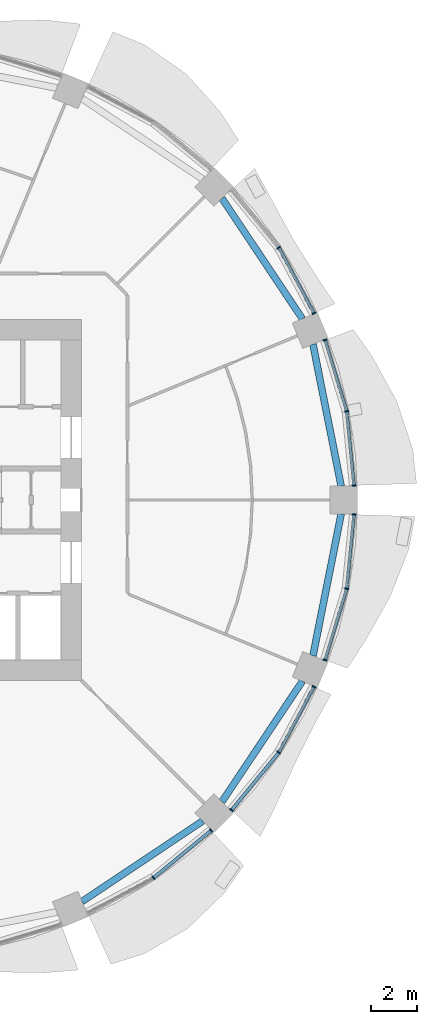
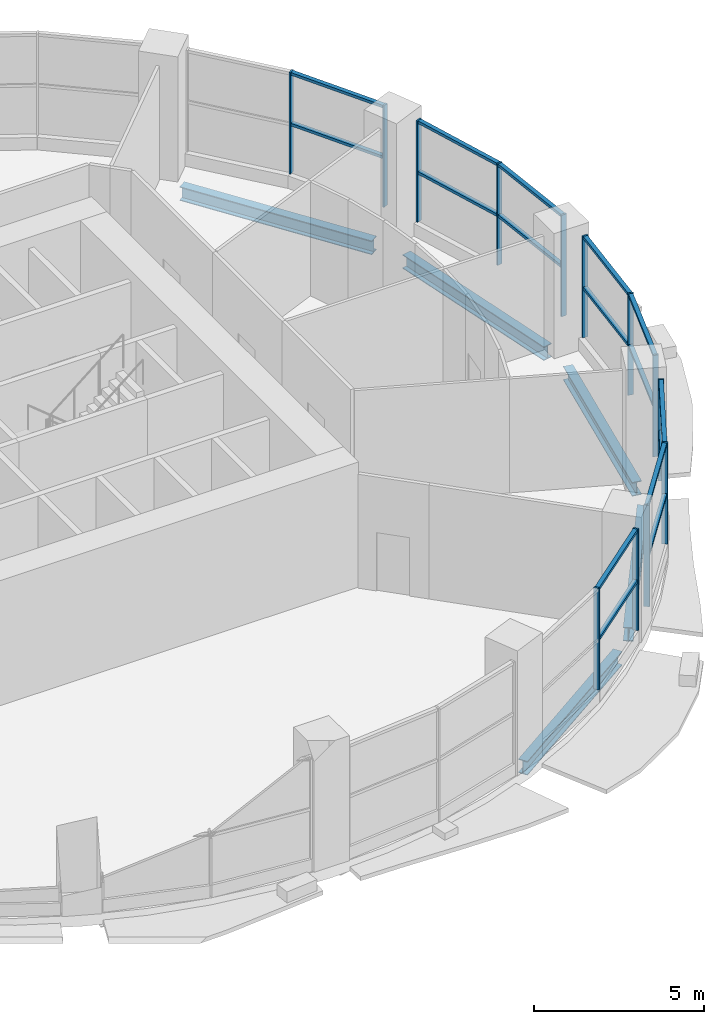
# One storey, part 4 of 14: 29 members, 5 beams, 5 elements without a shape of their own.
"""IFC4 building model written with IfcOpenShell, lengths in metres."""

from ifc_helpers import new_model, si_unit, direction, frame, origin, origin_2d, place, context, subcontext, project, spatial, rectangle, i_section, extrude, material, material_profile, profile_set, type_object, element, aggregate, save


model = new_model("IFC4")

# Units and contexts
model_context = context("Model", 3, precision=1e-05, world=origin(), true_north=direction((0.0, 1.0)))
body_context = subcontext(model_context, "Body", "Model", "MODEL_VIEW")
ifc_project = project(units=[si_unit("LENGTHUNIT", "METRE"), si_unit("AREAUNIT", "SQUARE_METRE"), si_unit("VOLUMEUNIT", "CUBIC_METRE"), si_unit("PLANEANGLEUNIT", "RADIAN"), si_unit("MASSUNIT", "GRAM", prefix="KILO")], contexts=[model_context])

# Site, building, storey
site_placement = place(None, origin())
site = spatial("IfcSite", under=ifc_project, at=site_placement, CompositionType="ELEMENT")
building_placement = place(site_placement, origin())
building = spatial("IfcBuilding", under=site, at=building_placement, Name="Polderwave Tower", CompositionType="ELEMENT")
storey_placement = place(building_placement, frame((0.0, 0.0, 9.89990234375)))
storey = spatial("IfcBuildingStorey", under=building, at=storey_placement, Name="L02", CompositionType="ELEMENT", Elevation=9.89990234375)

# Beams
ifc_material_1 = material(Name="Steel S355", Category="steel")
ifc_material_profile_1 = material_profile(ifc_material_1, i_section(OverallWidth=0.300048828125, OverallDepth=0.5, WebThickness=0.014404296875, FlangeThickness=0.028076171875, at=origin_2d()), Name="HE 500 B")
ifc_profile_set_1 = profile_set([ifc_material_profile_1], Name="Steel S355")
beam_type = type_object("IfcBeamType", Name="RING BEAM HE 500 B", PredefinedType="BEAM", material=ifc_profile_set_1)
for number, where, z_axis, x_axis, name in (
    (1, (19.20068359375, 0.60009765625, -0.64990234375), (-0.195089989691, 0.980785346507, 0.0), (-0.980785346507, -0.195089989691, 0.0), "ST-RB-L02-00"),
    (2, (17.509521484375, 7.902099609375, -0.64990234375), (-0.555574248011, 0.831466929557, 0.0), (-0.831466929557, -0.555574248011, 0.0), "ST-RB-L02-01"),
    (3, (7.902099609375, -17.509521484375, -0.64990234375), (0.831466929557, 0.555574248011, 0.0), (-0.555574248011, 0.831466929557, 0.0), "ST-RB-L02-13"),
    (4, (14.001220703125, -13.152587890625, -0.64990234375), (0.555574248011, 0.831466929557, 0.0), (-0.831466929557, 0.555574248011, 0.0), "ST-RB-L02-14"),
    (5, (17.96875, -6.79345703125, -0.64990234375), (0.195089989691, 0.980785346507, 0.0), (-0.980785346507, 0.195089989691, 0.0), "ST-RB-L02-15"),
):
    element("IfcBeam", number, at=place(storey_placement, frame(where, z_axis=z_axis, x_axis=x_axis)), inside=storey, type_object=beam_type, Name=name, PredefinedType="BEAM", context=body_context, shape_type="SweptSolid", body=[
        extrude(i_section(OverallWidth=0.300048828125, OverallDepth=0.5, WebThickness=0.014404296875, FlangeThickness=0.028076171875, at=origin_2d()), origin(), (0.0, 0.0, 1.0), 6.314697265625),
    ])

# Curtain wall, members
ifc_material_2 = material(Name="Aluminium 6063-T6 and glass", Category="aluminium")
curtain_wall_type = type_object("IfcCurtainWallType", Name="Shopfront glazing wall", PredefinedType="NOTDEFINED", material=ifc_material_2)
curtain_wall_1_placement = place(storey_placement, origin())
curtain_wall_1 = element("IfcCurtainWall", 6, at=curtain_wall_1_placement, inside=storey, type_object=curtain_wall_type, Name="CW1 L02 00", PredefinedType="NOTDEFINED")
ifc_material_3 = material(Name="Aluminium 6063-T6", Category="aluminium")
ifc_material_profile_2 = material_profile(ifc_material_3, rectangle(XDim=0.179931640625, YDim=0.06005859375, at=origin_2d()), Name="AL 60x180")
ifc_profile_set_2 = profile_set([ifc_material_profile_2], Name="Aluminium 6063-T6")
member_type_1 = type_object("IfcMemberType", Name="Shopfront glazing mullion 60x180", PredefinedType="MULLION", material=ifc_profile_set_2)
member_1_placement = place(storey_placement, frame((19.758056640625, 0.6298828125, 0.4501953125), z_axis=(0.0, 0.0, 1.0), x_axis=(-0.99517788136, -0.098086617091, 0.0)))
member_1 = element("IfcMember", 7, at=member_1_placement, type_object=member_type_1, Name="CW1 mullion 1", PredefinedType="MULLION", context=body_context, shape_type="SweptSolid", body=[
    extrude(rectangle(XDim=0.179931640625, YDim=0.06005859375, at=origin_2d()), origin(), (0.0, 0.0, 1.0), 3.64990234375),
])
member_2_placement = place(storey_placement, frame((19.43896484375, 3.866943359375, 0.4501953125), z_axis=(0.0, 0.0, 1.0), x_axis=(-0.980773020581, -0.195151946188, 0.0)))
member_2 = element("IfcMember", 8, at=member_2_placement, type_object=member_type_1, Name="CW1 mullion 2", PredefinedType="MULLION", context=body_context, shape_type="SweptSolid", body=[
    extrude(rectangle(XDim=0.179931640625, YDim=0.06005859375, at=origin_2d()), origin(), (0.0, 0.0, 1.0), 3.64990234375),
])
member_3_placement = place(storey_placement, frame((18.49462890625, 6.979248046875, 0.4501953125), z_axis=(0.0, 0.0, 1.0), x_axis=(-0.956924628419, -0.290336452284, 0.0)))
member_3 = element("IfcMember", 9, at=member_3_placement, type_object=member_type_1, Name="CW1 mullion 3", PredefinedType="MULLION", context=body_context, shape_type="SweptSolid", body=[
    extrude(rectangle(XDim=0.179931640625, YDim=0.06005859375, at=origin_2d()), origin(), (0.0, 0.0, 1.0), 3.64990234375),
])

curtain_wall_2_placement = place(storey_placement, origin())
curtain_wall_2 = element("IfcCurtainWall", 10, at=curtain_wall_2_placement, inside=storey, type_object=curtain_wall_type, Name="CW1 L02 01", PredefinedType="NOTDEFINED")
member_4_placement = place(storey_placement, frame((18.012939453125, 8.142578125, 0.4501953125), z_axis=(0.0, 0.0, 1.0), x_axis=(-0.881973091795, -0.471299761669, 0.0)))
member_4 = element("IfcMember", 11, at=member_4_placement, type_object=member_type_1, Name="CW1 mullion 1", PredefinedType="MULLION", context=body_context, shape_type="SweptSolid", body=[
    extrude(rectangle(XDim=0.179931640625, YDim=0.06005859375, at=origin_2d()), origin(), (0.0, 0.0, 1.0), 3.64990234375),
])
member_5_placement = place(storey_placement, frame((16.47998046875, 11.010986328125, 0.4501953125), z_axis=(0.0, 0.0, 1.0), x_axis=(-0.831492883245, -0.555535404015, 0.0)))
member_5 = element("IfcMember", 12, at=member_5_placement, type_object=member_type_1, Name="CW1 mullion 2", PredefinedType="MULLION", context=body_context, shape_type="SweptSolid", body=[
    extrude(rectangle(XDim=0.179931640625, YDim=0.06005859375, at=origin_2d()), origin(), (0.0, 0.0, 1.0), 3.64990234375),
])

curtain_wall_3_placement = place(storey_placement, origin())
curtain_wall_3 = element("IfcCurtainWall", 13, at=curtain_wall_3_placement, inside=storey, type_object=curtain_wall_type, Name="CW1 L02 13", PredefinedType="NOTDEFINED")
member_6_placement = place(storey_placement, frame((11.010986328125, -16.47998046875, 0.4501953125), z_axis=(0.0, 0.0, 1.0), x_axis=(-0.555535404015, 0.831492883245, 0.0)))
member_6 = element("IfcMember", 14, at=member_6_placement, type_object=member_type_1, Name="CW1 mullion 2", PredefinedType="MULLION", context=body_context, shape_type="SweptSolid", body=[
    extrude(rectangle(XDim=0.179931640625, YDim=0.06005859375, at=origin_2d()), origin(), (0.0, 0.0, 1.0), 3.64990234375),
])
member_7_placement = place(storey_placement, frame((13.52587890625, -14.416015625, 0.4501953125), z_axis=(0.0, 0.0, 1.0), x_axis=(-0.63441487044, 0.772992737459, 0.0)))
member_7 = element("IfcMember", 15, at=member_7_placement, type_object=member_type_1, Name="CW1 mullion 3", PredefinedType="MULLION", context=body_context, shape_type="SweptSolid", body=[
    extrude(rectangle(XDim=0.179931640625, YDim=0.06005859375, at=origin_2d()), origin(), (0.0, 0.0, 1.0), 3.64990234375),
])

curtain_wall_4_placement = place(storey_placement, origin())
curtain_wall_4 = element("IfcCurtainWall", 16, at=curtain_wall_4_placement, inside=storey, type_object=curtain_wall_type, Name="CW1 L02 14", PredefinedType="NOTDEFINED")
member_8_placement = place(storey_placement, frame((14.416015625, -13.52587890625, 0.4501953125), z_axis=(0.0, 0.0, 1.0), x_axis=(-0.772992737459, 0.63441487044, 0.0)))
member_8 = element("IfcMember", 17, at=member_8_placement, type_object=member_type_1, Name="CW1 mullion 1", PredefinedType="MULLION", context=body_context, shape_type="SweptSolid", body=[
    extrude(rectangle(XDim=0.179931640625, YDim=0.06005859375, at=origin_2d()), origin(), (0.0, 0.0, 1.0), 3.64990234375),
])
member_9_placement = place(storey_placement, frame((16.47998046875, -11.010986328125, 0.4501953125), z_axis=(0.0, 0.0, 1.0), x_axis=(-0.831492883245, 0.555535404015, 0.0)))
member_9 = element("IfcMember", 18, at=member_9_placement, type_object=member_type_1, Name="CW1 mullion 2", PredefinedType="MULLION", context=body_context, shape_type="SweptSolid", body=[
    extrude(rectangle(XDim=0.179931640625, YDim=0.06005859375, at=origin_2d()), origin(), (0.0, 0.0, 1.0), 3.64990234375),
])
member_10_placement = place(storey_placement, frame((18.012939453125, -8.142578125, 0.4501953125), z_axis=(0.0, 0.0, 1.0), x_axis=(-0.881973091795, 0.471299761669, 0.0)))
member_10 = element("IfcMember", 19, at=member_10_placement, type_object=member_type_1, Name="CW1 mullion 3", PredefinedType="MULLION", context=body_context, shape_type="SweptSolid", body=[
    extrude(rectangle(XDim=0.179931640625, YDim=0.06005859375, at=origin_2d()), origin(), (0.0, 0.0, 1.0), 3.64990234375),
])

curtain_wall_5_placement = place(storey_placement, origin())
curtain_wall_5 = element("IfcCurtainWall", 20, at=curtain_wall_5_placement, inside=storey, type_object=curtain_wall_type, Name="CW1 L02 15", PredefinedType="NOTDEFINED")
member_11_placement = place(storey_placement, frame((18.49462890625, -6.979248046875, 0.4501953125), z_axis=(0.0, 0.0, 1.0), x_axis=(-0.956924628419, 0.290336452284, 0.0)))
member_11 = element("IfcMember", 21, at=member_11_placement, type_object=member_type_1, Name="CW1 mullion 1", PredefinedType="MULLION", context=body_context, shape_type="SweptSolid", body=[
    extrude(rectangle(XDim=0.179931640625, YDim=0.06005859375, at=origin_2d()), origin(), (0.0, 0.0, 1.0), 3.64990234375),
])
member_12_placement = place(storey_placement, frame((19.43896484375, -3.866943359375, 0.4501953125), z_axis=(0.0, 0.0, 1.0), x_axis=(-0.980773020581, 0.195151946188, 0.0)))
member_12 = element("IfcMember", 22, at=member_12_placement, type_object=member_type_1, Name="CW1 mullion 2", PredefinedType="MULLION", context=body_context, shape_type="SweptSolid", body=[
    extrude(rectangle(XDim=0.179931640625, YDim=0.06005859375, at=origin_2d()), origin(), (0.0, 0.0, 1.0), 3.64990234375),
])
member_13_placement = place(storey_placement, frame((19.758056640625, -0.6298828125, 0.4501953125), z_axis=(0.0, 0.0, 1.0), x_axis=(-0.99517788136, 0.098086617091, 0.0)))
member_13 = element("IfcMember", 23, at=member_13_placement, type_object=member_type_1, Name="CW1 mullion 3", PredefinedType="MULLION", context=body_context, shape_type="SweptSolid", body=[
    extrude(rectangle(XDim=0.179931640625, YDim=0.06005859375, at=origin_2d()), origin(), (0.0, 0.0, 1.0), 3.64990234375),
])

# Member
ifc_material_profile_3 = material_profile(ifc_material_3, rectangle(XDim=0.139892578125, YDim=0.10009765625, at=origin_2d()), Name="AL 100x140")
ifc_profile_set_3 = profile_set([ifc_material_profile_3], Name="Aluminium 6063-T6")
member_type_2 = type_object("IfcMemberType", Name="Shopfront glazing transom 100x140", PredefinedType="USERDEFINED", material=ifc_profile_set_3)
member_14_placement = place(storey_placement, frame((19.755126953125, 0.65966796875, 2.22509765625), z_axis=(-0.098103046031, 0.995176261955, 0.0), x_axis=(-0.995176261955, -0.098103046031, 0.0)))
member_14 = element("IfcMember", 24, at=member_14_placement, type_object=member_type_2, Name="CW1 transom 1", ObjectType="TRANSOM", PredefinedType="USERDEFINED", context=body_context, shape_type="SweptSolid", body=[
    extrude(rectangle(XDim=0.139892578125, YDim=0.10009765625, at=origin_2d()), origin(), (0.0, 0.0, 1.0), 3.19287109375),
])

member_15_placement = place(storey_placement, frame((19.755126953125, 0.65966796875, 4.050048828125), z_axis=(-0.098103046031, 0.995176261955, 0.0), x_axis=(-0.995176261955, -0.098103046031, 0.0)))
member_15 = element("IfcMember", 25, at=member_15_placement, type_object=member_type_2, Name="CW1 transom 2", ObjectType="TRANSOM", PredefinedType="USERDEFINED", context=body_context, shape_type="SweptSolid", body=[
    extrude(rectangle(XDim=0.139892578125, YDim=0.10009765625, at=origin_2d()), origin(), (0.0, 0.0, 1.0), 3.19287109375),
])

member_16_placement = place(storey_placement, frame((19.430419921875, 3.895751953125, 2.22509765625), z_axis=(-0.290370318593, 0.956914352531, 0.0), x_axis=(-0.956914352531, -0.290370318593, 0.0)))
member_16 = element("IfcMember", 26, at=member_16_placement, type_object=member_type_2, Name="CW1 transom 3", ObjectType="TRANSOM", PredefinedType="USERDEFINED", context=body_context, shape_type="SweptSolid", body=[
    extrude(rectangle(XDim=0.139892578125, YDim=0.10009765625, at=origin_2d()), origin(), (0.0, 0.0, 1.0), 3.1923828125),
])

member_17_placement = place(storey_placement, frame((19.430419921875, 3.895751953125, 4.050048828125), z_axis=(-0.290370318593, 0.956914352531, 0.0), x_axis=(-0.956914352531, -0.290370318593, 0.0)))
member_17 = element("IfcMember", 27, at=member_17_placement, type_object=member_type_2, Name="CW1 transom 4", ObjectType="TRANSOM", PredefinedType="USERDEFINED", context=body_context, shape_type="SweptSolid", body=[
    extrude(rectangle(XDim=0.139892578125, YDim=0.10009765625, at=origin_2d()), origin(), (0.0, 0.0, 1.0), 3.1923828125),
])

aggregate(curtain_wall_1, [member_1, member_2, member_3, member_14, member_15, member_16, member_17])

member_18_placement = place(storey_placement, frame((17.998779296875, 8.1689453125, 2.22509765625), z_axis=(-0.471306507321, 0.88196948709, 0.0), x_axis=(-0.88196948709, -0.471306507321, 0.0)))
member_18 = element("IfcMember", 28, at=member_18_placement, type_object=member_type_2, Name="CW1 transom 1", ObjectType="TRANSOM", PredefinedType="USERDEFINED", context=body_context, shape_type="SweptSolid", body=[
    extrude(rectangle(XDim=0.139892578125, YDim=0.10009765625, at=origin_2d()), origin(), (0.0, 0.0, 1.0), 3.1923828125),
])

member_19_placement = place(storey_placement, frame((17.998779296875, 8.1689453125, 4.050048828125), z_axis=(-0.471306507321, 0.88196948709, 0.0), x_axis=(-0.88196948709, -0.471306507321, 0.0)))
member_19 = element("IfcMember", 29, at=member_19_placement, type_object=member_type_2, Name="CW1 transom 2", ObjectType="TRANSOM", PredefinedType="USERDEFINED", context=body_context, shape_type="SweptSolid", body=[
    extrude(rectangle(XDim=0.139892578125, YDim=0.10009765625, at=origin_2d()), origin(), (0.0, 0.0, 1.0), 3.1923828125),
])

aggregate(curtain_wall_2, [member_4, member_5, member_18, member_19])

member_20_placement = place(storey_placement, frame((11.0341796875, -16.4609375, 2.22509765625), z_axis=(0.773006076365, 0.634398617513, 0.0), x_axis=(-0.634398617513, 0.773006076365, 0.0)))
member_20 = element("IfcMember", 30, at=member_20_placement, type_object=member_type_2, Name="CW1 transom 3", ObjectType="TRANSOM", PredefinedType="USERDEFINED", context=body_context, shape_type="SweptSolid", body=[
    extrude(rectangle(XDim=0.139892578125, YDim=0.10009765625, at=origin_2d()), origin(), (0.0, 0.0, 1.0), 3.193359375),
])

member_21_placement = place(storey_placement, frame((11.0341796875, -16.4609375, 4.050048828125), z_axis=(0.773006076365, 0.634398617513, 0.0), x_axis=(-0.634398617513, 0.773006076365, 0.0)))
member_21 = element("IfcMember", 31, at=member_21_placement, type_object=member_type_2, Name="CW1 transom 4", ObjectType="TRANSOM", PredefinedType="USERDEFINED", context=body_context, shape_type="SweptSolid", body=[
    extrude(rectangle(XDim=0.139892578125, YDim=0.10009765625, at=origin_2d()), origin(), (0.0, 0.0, 1.0), 3.193359375),
])

aggregate(curtain_wall_3, [member_6, member_7, member_20, member_21])

member_22_placement = place(storey_placement, frame((14.43505859375, -13.502685546875, 2.22509765625), z_axis=(0.634398617513, 0.773006076365, 0.0), x_axis=(-0.773006076365, 0.634398617513, 0.0)))
member_22 = element("IfcMember", 32, at=member_22_placement, type_object=member_type_2, Name="CW1 transom 1", ObjectType="TRANSOM", PredefinedType="USERDEFINED", context=body_context, shape_type="SweptSolid", body=[
    extrude(rectangle(XDim=0.139892578125, YDim=0.10009765625, at=origin_2d()), origin(), (0.0, 0.0, 1.0), 3.193359375),
])

member_23_placement = place(storey_placement, frame((14.43505859375, -13.502685546875, 4.050048828125), z_axis=(0.634398617513, 0.773006076365, 0.0), x_axis=(-0.773006076365, 0.634398617513, 0.0)))
member_23 = element("IfcMember", 33, at=member_23_placement, type_object=member_type_2, Name="CW1 transom 2", ObjectType="TRANSOM", PredefinedType="USERDEFINED", context=body_context, shape_type="SweptSolid", body=[
    extrude(rectangle(XDim=0.139892578125, YDim=0.10009765625, at=origin_2d()), origin(), (0.0, 0.0, 1.0), 3.193359375),
])

member_24_placement = place(storey_placement, frame((16.494140625, -10.984619140625, 2.22509765625), z_axis=(0.471306507321, 0.88196948709, 0.0), x_axis=(-0.88196948709, 0.471306507321, 0.0)))
member_24 = element("IfcMember", 34, at=member_24_placement, type_object=member_type_2, Name="CW1 transom 3", ObjectType="TRANSOM", PredefinedType="USERDEFINED", context=body_context, shape_type="SweptSolid", body=[
    extrude(rectangle(XDim=0.139892578125, YDim=0.10009765625, at=origin_2d()), origin(), (0.0, 0.0, 1.0), 3.1923828125),
])

member_25_placement = place(storey_placement, frame((16.494140625, -10.984619140625, 4.050048828125), z_axis=(0.471306507321, 0.88196948709, 0.0), x_axis=(-0.88196948709, 0.471306507321, 0.0)))
member_25 = element("IfcMember", 35, at=member_25_placement, type_object=member_type_2, Name="CW1 transom 4", ObjectType="TRANSOM", PredefinedType="USERDEFINED", context=body_context, shape_type="SweptSolid", body=[
    extrude(rectangle(XDim=0.139892578125, YDim=0.10009765625, at=origin_2d()), origin(), (0.0, 0.0, 1.0), 3.1923828125),
])

aggregate(curtain_wall_4, [member_8, member_9, member_10, member_22, member_23, member_24, member_25])

member_26_placement = place(storey_placement, frame((18.50341796875, -6.95068359375, 2.22509765625), z_axis=(0.290370318593, 0.956914352531, 0.0), x_axis=(-0.956914352531, 0.290370318593, 0.0)))
member_26 = element("IfcMember", 36, at=member_26_placement, type_object=member_type_2, Name="CW1 transom 1", ObjectType="TRANSOM", PredefinedType="USERDEFINED", context=body_context, shape_type="SweptSolid", body=[
    extrude(rectangle(XDim=0.139892578125, YDim=0.10009765625, at=origin_2d()), origin(), (0.0, 0.0, 1.0), 3.1923828125),
])

member_27_placement = place(storey_placement, frame((18.50341796875, -6.95068359375, 4.050048828125), z_axis=(0.290370318593, 0.956914352531, 0.0), x_axis=(-0.956914352531, 0.290370318593, 0.0)))
member_27 = element("IfcMember", 37, at=member_27_placement, type_object=member_type_2, Name="CW1 transom 2", ObjectType="TRANSOM", PredefinedType="USERDEFINED", context=body_context, shape_type="SweptSolid", body=[
    extrude(rectangle(XDim=0.139892578125, YDim=0.10009765625, at=origin_2d()), origin(), (0.0, 0.0, 1.0), 3.1923828125),
])

member_28_placement = place(storey_placement, frame((19.44189453125, -3.837158203125, 2.22509765625), z_axis=(0.098103046031, 0.995176261955, 0.0), x_axis=(-0.995176261955, 0.098103046031, 0.0)))
member_28 = element("IfcMember", 38, at=member_28_placement, type_object=member_type_2, Name="CW1 transom 3", ObjectType="TRANSOM", PredefinedType="USERDEFINED", context=body_context, shape_type="SweptSolid", body=[
    extrude(rectangle(XDim=0.139892578125, YDim=0.10009765625, at=origin_2d()), origin(), (0.0, 0.0, 1.0), 3.19287109375),
])

member_29_placement = place(storey_placement, frame((19.44189453125, -3.837158203125, 4.050048828125), z_axis=(0.098103046031, 0.995176261955, 0.0), x_axis=(-0.995176261955, 0.098103046031, 0.0)))
member_29 = element("IfcMember", 39, at=member_29_placement, type_object=member_type_2, Name="CW1 transom 4", ObjectType="TRANSOM", PredefinedType="USERDEFINED", context=body_context, shape_type="SweptSolid", body=[
    extrude(rectangle(XDim=0.139892578125, YDim=0.10009765625, at=origin_2d()), origin(), (0.0, 0.0, 1.0), 3.19287109375),
])

aggregate(curtain_wall_5, [member_11, member_12, member_13, member_26, member_27, member_28, member_29])

save(model, "model.ifc")
